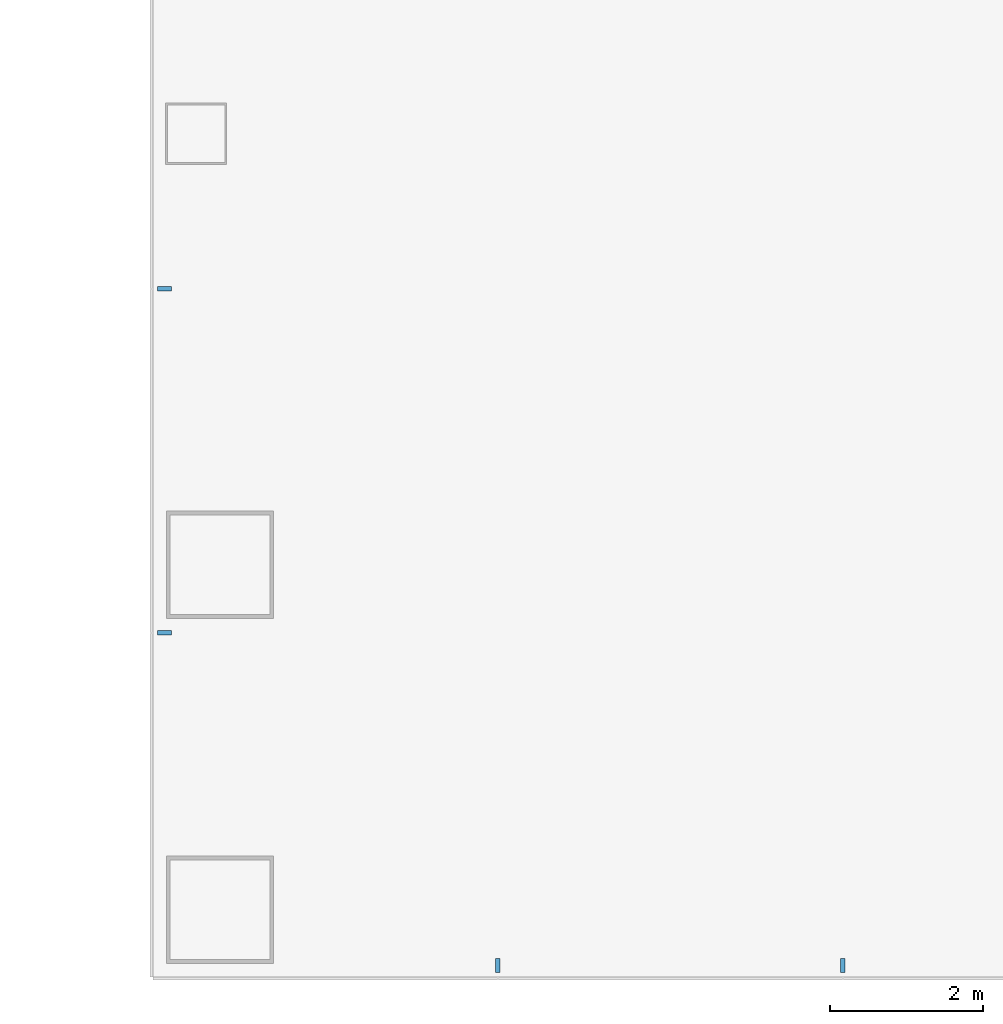
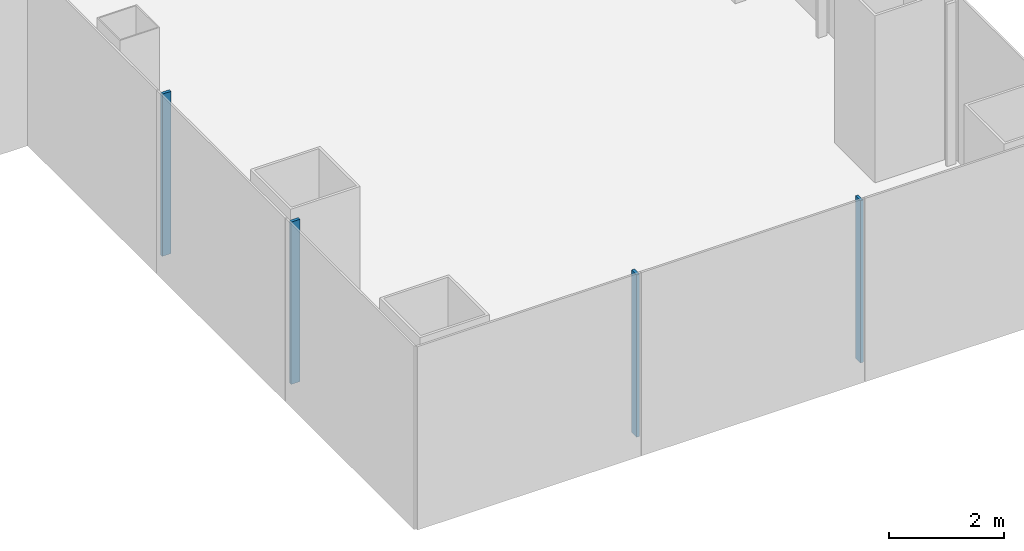
# One storey, part 3 of 21: 4 members, 2 elements without a shape of their own.
"""IFC4 building model written with IfcOpenShell, lengths in metres."""

import ifcopenshell
import ifcopenshell.guid

model = None  # the IFC model being written
_history = None  # IfcOwnerHistory: only IFC2X3 demands one
_inside = {}  # id of a spatial element -> (the spatial element, [elements in it])
_under = {}  # id of a project, library or spatial element -> (it, [spatial elements below it])
_declared = {}  # id of a project -> (the project, [libraries it declares])
_typed = {}  # id of a type object -> (the type object, [elements of that type])
_made_of = {}  # id of a material, layer set ... -> (it, [elements and type objects made of it])


def new_model(schema):
    """Start an empty IFC model of exactly this schema.

    Asked for "IFC4X3", IfcOpenShell would pick the latest addendum, in which some entities
    have other attributes; the version numbers below select the first issue.
    IFC2X3 requires an IfcOwnerHistory on every rooted entity: one is made here for all.
    """
    global model, _history
    if schema == "IFC4X3":
        model = ifcopenshell.file(schema_version=(4, 3, 0, 0))
    else:
        model = ifcopenshell.file(schema=schema)
    _inside.clear()
    _under.clear()
    _declared.clear()
    _typed.clear()
    _made_of.clear()
    _history = None
    if model.schema == "IFC2X3":
        org = make("IfcOrganization", Name="unknown")
        user = make(
            "IfcPersonAndOrganization",
            ThePerson=make("IfcPerson", FamilyName="unknown"),
            TheOrganization=org,
        )
        app = make(
            "IfcApplication",
            ApplicationDeveloper=org,
            Version="unknown",
            ApplicationFullName="unknown",
            ApplicationIdentifier="unknown",
        )
        _history = make(
            "IfcOwnerHistory",
            OwningUser=user,
            OwningApplication=app,
            ChangeAction="ADDED",
            CreationDate=0,
        )
    return model


def make(cls, **values):
    """One entity of the class cls with the attributes given. An attribute that is None is left unset."""
    return model.create_entity(
        cls, **{name: value for name, value in values.items() if value is not None}
    )


def rooted(cls, **values):
    """An entity with a GlobalId (a new one), such as an element, a storey or a relation."""
    return make(cls, GlobalId=ifcopenshell.guid.new(), OwnerHistory=_history, **values)


def si_unit(unit_type, name, prefix=None):
    """IfcSIUnit, for example si_unit("LENGTHUNIT", "METRE", prefix="MILLI")."""
    return make("IfcSIUnit", UnitType=unit_type, Prefix=prefix, Name=name)


def assignment(units):
    """IfcUnitAssignment: the units of a project."""
    return None if units is None else make("IfcUnitAssignment", Units=units)


def point(xyz):
    """IfcCartesianPoint."""
    return None if xyz is None else make("IfcCartesianPoint", Coordinates=xyz)


def direction(xyz):
    """IfcDirection."""
    return None if xyz is None else make("IfcDirection", DirectionRatios=xyz)


def frame(location, z_axis=None, x_axis=None):
    """IfcAxis2Placement3D, a coordinate frame: its origin and axes. An axis left out is left unset."""
    return make(
        "IfcAxis2Placement3D",
        Location=point(location),
        Axis=direction(z_axis),
        RefDirection=direction(x_axis),
    )


def frame_2d(location, x_axis=None):
    """IfcAxis2Placement2D, a coordinate frame in the plane: its origin and x axis."""
    return make(
        "IfcAxis2Placement2D", Location=point(location), RefDirection=direction(x_axis)
    )


def origin():
    """The frame at (0, 0, 0) with its axes left unset."""
    return frame((0.0, 0.0, 0.0))


def origin_2d():
    """The frame at (0, 0) in the plane with its x axis left unset."""
    return frame_2d((0.0, 0.0))


def place(relative_to, where):
    """IfcLocalPlacement: puts the frame where relative to a parent placement (None: the world)."""
    return make(
        "IfcLocalPlacement", PlacementRelTo=relative_to, RelativePlacement=where
    )


def context(
    kind, dimensions, precision=None, world=None, true_north=None, identifier=None
):
    """IfcGeometricRepresentationContext, for example the 3D "Model" context."""
    return make(
        "IfcGeometricRepresentationContext",
        ContextIdentifier=identifier,
        ContextType=kind,
        CoordinateSpaceDimension=dimensions,
        Precision=precision,
        WorldCoordinateSystem=world,
        TrueNorth=true_north,
    )


def subcontext(parent, identifier, kind, view, scale=None):
    """IfcGeometricRepresentationSubContext, for example "Body" below "Model"."""
    return make(
        "IfcGeometricRepresentationSubContext",
        ContextIdentifier=identifier,
        ContextType=kind,
        ParentContext=parent,
        TargetScale=scale,
        TargetView=view,
    )


def project(units=None, contexts=None):
    """IfcProject with its units and contexts."""
    return rooted(
        "IfcProject",
        Name="project",
        RepresentationContexts=contexts,
        UnitsInContext=assignment(units),
    )


def spatial(cls, under=None, at=None, **own):
    """A site, building, storey or space (cls), placed at a placement, below another one or the project."""
    s = rooted(cls, ObjectPlacement=at, **own)
    if under is not None:
        _under.setdefault(under.id(), (under, []))[1].append(s)
    return s


def profile(cls, at=None, kind="AREA", **sizes):
    """A parametric profile (cls). Its sizes go by their IFC names, for example OverallWidth=200.0."""
    return make(cls, ProfileType=kind, Position=at, **sizes)


def rectangle(**sizes):
    """IfcRectangleProfileDef."""
    return profile("IfcRectangleProfileDef", **sizes)


def extrude(swept, where, along, depth):
    """IfcExtrudedAreaSolid: the profile swept, set in the frame where, extruded along a direction by depth."""
    return make(
        "IfcExtrudedAreaSolid",
        SweptArea=swept,
        Position=where,
        ExtrudedDirection=direction(along),
        Depth=depth,
    )


def shape(context_of_items, identifier, shape_type, items):
    """IfcShapeRepresentation: the items that make up one representation, for example the "Body"."""
    return make(
        "IfcShapeRepresentation",
        ContextOfItems=context_of_items,
        RepresentationIdentifier=identifier,
        RepresentationType=shape_type,
        Items=items,
    )


def material(Name=None, Category=None):
    """IfcMaterial."""
    return make("IfcMaterial", Name=Name, Category=Category)


def layer(
    of_material, thickness, ventilated=None, Name=None, Category=None, Priority=None
):
    """IfcMaterialLayer: one layer of a wall or slab, of a material (None: an air gap)."""
    return make(
        "IfcMaterialLayer",
        Material=of_material,
        LayerThickness=thickness,
        IsVentilated=ventilated,
        Name=Name,
        Category=Category,
        Priority=Priority,
    )


def layer_set(layers, Name=None):
    """IfcMaterialLayerSet."""
    return make("IfcMaterialLayerSet", MaterialLayers=layers, LayerSetName=Name)


def material_profile(
    of_material, cross_section, Name=None, Category=None, Priority=None
):
    """IfcMaterialProfile: a cross section and its material."""
    return make(
        "IfcMaterialProfile",
        Name=Name,
        Material=of_material,
        Profile=cross_section,
        Priority=Priority,
        Category=Category,
    )


def profile_set(profiles, Name=None, composite=None):
    """IfcMaterialProfileSet."""
    return make(
        "IfcMaterialProfileSet",
        Name=Name,
        MaterialProfiles=profiles,
        CompositeProfile=composite,
    )


def made_of(thing, what):
    """Note that an element or type object is made of a material, layer set ...; save() writes the relation."""
    if what is not None:
        _made_of.setdefault(what.id(), (what, []))[1].append(thing)
    return thing


def type_object(cls, material=None, **own):
    """A type object (cls), such as IfcWallType, which elements share."""
    return made_of(rooted(cls, **own), material)


def element(
    cls,
    number,
    at=None,
    inside=None,
    cuts=None,
    type_object=None,
    material=None,
    context=None,
    identifier="Body",
    shape_type=None,
    held_by="IfcProductDefinitionShape",
    body=None,
    shapes=None,
    **own,
):
    """One element of the class cls, such as IfcWall. Its Tag is "e" and its number.

    at: its placement. inside: the storey or other place that contains it. cuts: it is an
    opening in that element (IfcRelVoidsElement). A single representation is given by context,
    identifier, shape_type and body (its items); several are given by shapes. held_by: the class
    of the entity that holds the representations. save() writes the other relations.
    """
    e = rooted(cls, Tag="e%d" % number, ObjectPlacement=at, **own)
    if body is not None:
        shapes = [shape(context, identifier, shape_type, body)]
    if shapes is not None:
        e.Representation = make(held_by, Representations=shapes)
    if inside is not None:
        _inside.setdefault(inside.id(), (inside, []))[1].append(e)
    if cuts is not None:
        rooted(
            "IfcRelVoidsElement", RelatingBuildingElement=cuts, RelatedOpeningElement=e
        )
    if type_object is not None:
        _typed.setdefault(type_object.id(), (type_object, []))[1].append(e)
    return made_of(e, material)


def aggregate(whole, parts):
    """IfcRelAggregates: a whole, such as a stair, and the parts it consists of."""
    return rooted("IfcRelAggregates", RelatingObject=whole, RelatedObjects=parts)


def save(model, path):
    """Write the relations noted so far, then the file.

    IfcRelAggregates (storeys below a building ...), IfcRelContainedInSpatialStructure (elements
    in a storey), IfcRelDefinesByType, IfcRelAssociatesMaterial and IfcRelDeclares: one each for
    every whole, place, type object, material and project.
    """
    for whole, parts in _under.values():
        aggregate(whole, parts)
    for where, things in _inside.values():
        rooted(
            "IfcRelContainedInSpatialStructure",
            RelatedElements=things,
            RelatingStructure=where,
        )
    for kind, things in _typed.values():
        rooted("IfcRelDefinesByType", RelatedObjects=things, RelatingType=kind)
    for what, things in _made_of.values():
        rooted("IfcRelAssociatesMaterial", RelatedObjects=things, RelatingMaterial=what)
    for by, libraries in _declared.values():
        rooted("IfcRelDeclares", RelatingContext=by, RelatedDefinitions=libraries)
    model.write(path)


model = new_model("IFC4")

# Units and contexts
model_context = context("Model", 3, precision=1e-05, world=origin(), true_north=direction((0.0, 1.0)))
body_context = subcontext(model_context, "Body", "Model", "MODEL_VIEW")
ifc_project = project(units=[si_unit("LENGTHUNIT", "METRE"), si_unit("AREAUNIT", "SQUARE_METRE"), si_unit("VOLUMEUNIT", "CUBIC_METRE"), si_unit("PLANEANGLEUNIT", "RADIAN"), si_unit("MASSUNIT", "GRAM", prefix="KILO")], contexts=[model_context])

# Site, building, storey
site_placement = place(None, origin())
site = spatial("IfcSite", under=ifc_project, at=site_placement, CompositionType="ELEMENT")
building_placement = place(site_placement, origin())
building = spatial("IfcBuilding", under=site, at=building_placement, Name="Shamsa Quay Exchange Towers", CompositionType="ELEMENT")
storey_placement = place(building_placement, frame((0.0, 0.0, 53.699951171875)))
storey = spatial("IfcBuildingStorey", under=building, at=storey_placement, Name="L11", CompositionType="ELEMENT", Elevation=53.699951171875)

# Curtain wall, members
ifc_material = material(Name="Aluminium EN AW-6063 T6, black anodised", Category="aluminium")
ifc_layer = layer(ifc_material, 0.280029296875)
ifc_layer_set = layer_set([ifc_layer], Name="CW-1 UNITISED VISION GLASS")
curtain_wall_type = type_object("IfcCurtainWallType", Name="CW-1 UNITISED VISION GLASS", PredefinedType="NOTDEFINED", material=ifc_layer_set)
curtain_wall_1_placement = place(storey_placement, origin())
curtain_wall_1 = element("IfcCurtainWall", 1, at=curtain_wall_1_placement, inside=storey, type_object=curtain_wall_type, Name="CW1 T1-FLK-V-W L11", PredefinedType="NOTDEFINED")
ifc_material_profile = material_profile(ifc_material, rectangle(XDim=0.179931640625, YDim=0.06005859375, at=origin_2d()), Name="MU60x180")
ifc_profile_set = profile_set([ifc_material_profile], Name="Aluminium EN AW-6063 T6, black anodised")
member_type = type_object("IfcMemberType", Name="CW1 MULLION 60x180", PredefinedType="MULLION", material=ifc_profile_set)
member_1_placement = place(storey_placement, frame((-40.35009765625, -15.775390625, 0.0)))
member_1 = element("IfcMember", 2, at=member_1_placement, type_object=member_type, Name="CW1 mullion", PredefinedType="MULLION", context=body_context, shape_type="SweptSolid", body=[
    extrude(rectangle(XDim=0.179931640625, YDim=0.06005859375, at=origin_2d()), origin(), (0.0, 0.0, 1.0), 3.449951171875),
])
member_2_placement = place(storey_placement, frame((-40.35009765625, -20.2626953125, 0.0)))
member_2 = element("IfcMember", 3, at=member_2_placement, type_object=member_type, Name="CW1 mullion", PredefinedType="MULLION", context=body_context, shape_type="SweptSolid", body=[
    extrude(rectangle(XDim=0.179931640625, YDim=0.06005859375, at=origin_2d()), origin(), (0.0, 0.0, 1.0), 3.449951171875),
])
aggregate(curtain_wall_1, [member_1, member_2])

curtain_wall_2_placement = place(storey_placement, origin())
curtain_wall_2 = element("IfcCurtainWall", 4, at=curtain_wall_2_placement, inside=storey, type_object=curtain_wall_type, Name="CW1 T1-END-V- L11", PredefinedType="NOTDEFINED")
member_3_placement = place(storey_placement, frame((-36.0, -24.60009765625, 0.0), z_axis=(0.0, 0.0, 1.0), x_axis=(0.0, 1.0, 0.0)))
member_3 = element("IfcMember", 5, at=member_3_placement, type_object=member_type, Name="CW1 mullion", PredefinedType="MULLION", context=body_context, shape_type="SweptSolid", body=[
    extrude(rectangle(XDim=0.179931640625, YDim=0.06005859375, at=origin_2d()), origin(), (0.0, 0.0, 1.0), 3.449951171875),
])
member_4_placement = place(storey_placement, frame((-31.5, -24.60009765625, 0.0), z_axis=(0.0, 0.0, 1.0), x_axis=(0.0, 1.0, 0.0)))
member_4 = element("IfcMember", 6, at=member_4_placement, type_object=member_type, Name="CW1 mullion", PredefinedType="MULLION", context=body_context, shape_type="SweptSolid", body=[
    extrude(rectangle(XDim=0.179931640625, YDim=0.06005859375, at=origin_2d()), origin(), (0.0, 0.0, 1.0), 3.449951171875),
])
aggregate(curtain_wall_2, [member_3, member_4])

save(model, "model.ifc")
